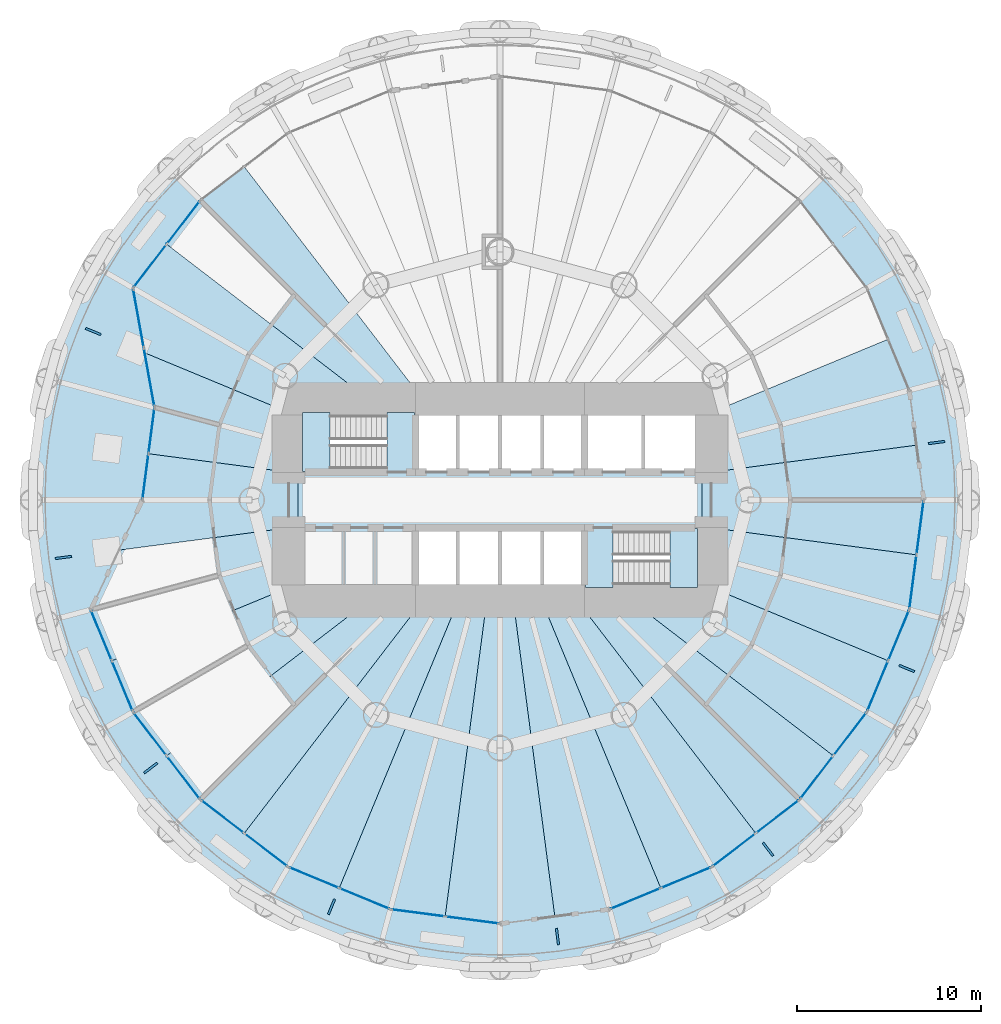
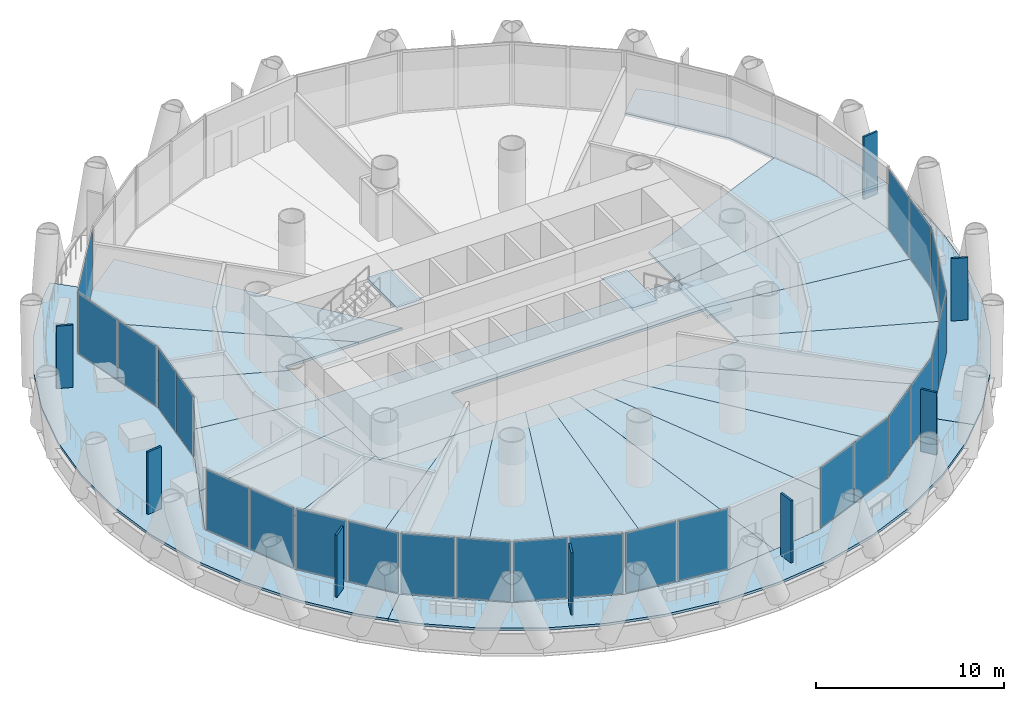
# One storey, part 8 of 15: 34 plates, 25 slabs, 15 elements without a shape of their own.
"""IFC4 building model written with IfcOpenShell, lengths in metres."""

from ifc_helpers import new_model, si_unit, direction, frame, origin, origin_2d, place, context, subcontext, project, spatial, polyline, rectangle, outline, extrude, material, layer, layer_set, type_object, element, aggregate, save


model = new_model("IFC4")

# Units and contexts
model_context = context("Model", 3, precision=1e-05, world=origin(), true_north=direction((0.0, 1.0)))
body_context = subcontext(model_context, "Body", "Model", "MODEL_VIEW")
ifc_project = project(units=[si_unit("LENGTHUNIT", "METRE"), si_unit("AREAUNIT", "SQUARE_METRE"), si_unit("VOLUMEUNIT", "CUBIC_METRE"), si_unit("PLANEANGLEUNIT", "RADIAN"), si_unit("MASSUNIT", "GRAM", prefix="KILO")], contexts=[model_context])

# Site, building, storey
site_placement = place(None, origin())
site = spatial("IfcSite", under=ifc_project, at=site_placement, CompositionType="ELEMENT")
building_placement = place(site_placement, origin())
building = spatial("IfcBuilding", under=site, at=building_placement, Name="Qaws Media Tower", CompositionType="ELEMENT")
storey_placement = place(building_placement, frame((0.0, 0.0, 72.199951171875)))
storey = spatial("IfcBuildingStorey", under=building, at=storey_placement, Name="L15", CompositionType="ELEMENT", Elevation=72.199951171875)

# Slabs
ifc_material_1 = material(Name="Concrete C35/45", Category="concrete")
ifc_layer_1 = layer(ifc_material_1, 0.159912109375)
ifc_layer_set_1 = layer_set([ifc_layer_1], Name="Composite balcony slab 160")
slab_type_1 = type_object("IfcSlabType", Name="Composite balcony slab 160", PredefinedType="FLOOR", material=ifc_layer_set_1)
slab_1_placement = place(storey_placement, frame((0.0, 0.0, -0.159912109375)))
element("IfcSlab", 1, at=slab_1_placement, inside=storey, type_object=slab_type_1, Name="S2 balcony slab L15 R10 to R16, movement joints on R10 and R16", PredefinedType="FLOOR", context=body_context, shape_type="SweptSolid", body=[
    extrude(outline(polyline([(40.86572265625, 33.219482421875), (38.839111328125, 35.860595703125), (37.174560546875, 38.743896484375), (35.900634765625, 41.8193359375), (35.0390625, 45.034912109375), (34.6044921875, 48.33544921875), (34.6044921875, 51.66455078125), (35.0390625, 54.965087890625), (35.900634765625, 58.1806640625), (37.174560546875, 61.256103515625), (38.839111328125, 64.139404296875), (40.86572265625, 66.780517578125), (42.042724609375, 67.957275390625), (43.701171875, 66.298828125), (40.0380859375, 61.52490234375), (41.212646484375, 55.033935546875), (40.550048828125, 50.0), (37.7353515625, 44.0341796875), (40.0380859375, 38.47509765625), (43.701171875, 33.701171875), (42.042724609375, 32.042724609375), (40.86572265625, 33.219482421875)])), origin(), (0.0, 0.0, 1.0), 0.159912109375),
])
slab_2_placement = place(storey_placement, frame((0.0, 0.0, -0.159912109375)))
element("IfcSlab", 2, at=slab_2_placement, inside=storey, type_object=slab_type_1, Name="S2 balcony slab L15 R16 to R22, movement joints on R16 and R22", PredefinedType="FLOOR", context=body_context, shape_type="SweptSolid", body=[
    extrude(outline(polyline([(76.780517578125, 30.86572265625), (74.139404296875, 28.839111328125), (71.256103515625, 27.174560546875), (68.1806640625, 25.900634765625), (64.965087890625, 25.0390625), (61.66455078125, 24.6044921875), (58.33544921875, 24.6044921875), (55.034912109375, 25.0390625), (51.8193359375, 25.900634765625), (48.743896484375, 27.174560546875), (45.860595703125, 28.839111328125), (43.219482421875, 30.86572265625), (42.042724609375, 32.042724609375), (43.701171875, 33.701171875), (48.47509765625, 30.0380859375), (54.0341796875, 27.7353515625), (60.0, 26.949951171875), (65.9658203125, 27.7353515625), (71.52490234375, 30.0380859375), (76.298828125, 33.701171875), (77.957275390625, 32.042724609375), (76.780517578125, 30.86572265625)])), origin(), (0.0, 0.0, 1.0), 0.159912109375),
])
slab_3_placement = place(storey_placement, frame((0.0, 0.0, -0.159912109375)))
element("IfcSlab", 3, at=slab_3_placement, inside=storey, type_object=slab_type_1, Name="S2 balcony slab L15 R22 to R04, movement joints on R22 and R04", PredefinedType="FLOOR", context=body_context, shape_type="SweptSolid", body=[
    extrude(outline(polyline([(84.9609375, 45.034912109375), (84.099365234375, 41.8193359375), (82.825439453125, 38.743896484375), (81.160888671875, 35.860595703125), (79.13427734375, 33.219482421875), (77.957275390625, 32.042724609375), (76.298828125, 33.701171875), (79.9619140625, 38.47509765625), (82.2646484375, 44.0341796875), (83.050048828125, 50.0), (82.2646484375, 55.9658203125), (79.9619140625, 61.52490234375), (76.298828125, 66.298828125), (77.957275390625, 67.957275390625), (79.13427734375, 66.780517578125), (81.160888671875, 64.139404296875), (82.825439453125, 61.256103515625), (84.099365234375, 58.1806640625), (84.9609375, 54.965087890625), (85.3955078125, 51.66455078125), (85.3955078125, 48.33544921875), (84.9609375, 45.034912109375)])), origin(), (0.0, 0.0, 1.0), 0.159912109375),
])
ifc_material_2 = material(Name="Concrete C35/45", Category="concrete")
ifc_layer_2 = layer(ifc_material_2, 0.159912109375)
ifc_layer_set_2 = layer_set([ifc_layer_2], Name="Composite floor slab 160")
slab_type_2 = type_object("IfcSlabType", Name="Composite floor slab 160", PredefinedType="FLOOR", material=ifc_layer_set_2)
slab_4_placement = place(storey_placement, frame((0.0, 0.0, -0.159912109375)))
element("IfcSlab", 4, at=slab_4_placement, inside=storey, type_object=slab_type_2, Name="S1 core floor slab L15", PredefinedType="FLOOR", context=body_context, shape_type="SweptSolid", body=[
    extrude(outline(polyline([(71.0, 51.5), (71.0, 48.5), (55.39990234375, 48.5), (55.39990234375, 45.0), (49.0, 45.0), (49.0, 51.5), (71.0, 51.5)])), origin(), (0.0, 0.0, 1.0), 0.159912109375),
])
slab_5_placement = place(storey_placement, frame((0.0, 0.0, -0.159912109375)))
element("IfcSlab", 5, at=slab_5_placement, inside=storey, type_object=slab_type_2, Name="S1 floor panel L15 on R01", PredefinedType="FLOOR", context=body_context, shape_type="SweptSolid", body=[
    extrude(outline(polyline([(83.050048828125, 50.0), (82.6572265625, 47.01708984375), (71.0, 48.5517578125), (71.0, 51.4482421875), (82.6572265625, 52.98291015625), (83.050048828125, 50.0)])), origin(), (0.0, 0.0, 1.0), 0.159912109375),
])
slab_6_placement = place(storey_placement, frame((0.0, 0.0, -0.159912109375)))
element("IfcSlab", 6, at=slab_6_placement, inside=storey, type_object=slab_type_2, Name="S1 floor panel L15 on R02", PredefinedType="FLOOR", context=body_context, shape_type="SweptSolid", body=[
    extrude(outline(polyline([(82.2646484375, 55.9658203125), (82.6572265625, 52.98291015625), (71.0, 51.4482421875), (71.0, 54.556396484375), (81.11328125, 58.745361328125), (82.2646484375, 55.9658203125)])), origin(), (0.0, 0.0, 1.0), 0.159912109375),
])
slab_7_placement = place(storey_placement, frame((0.0, 0.0, -0.159912109375)))
element("IfcSlab", 7, at=slab_7_placement, inside=storey, type_object=slab_type_2, Name="S1 floor panel L15 on R10", PredefinedType="FLOOR", context=body_context, shape_type="SweptSolid", body=[
    extrude(outline(polyline([(43.701171875, 66.298828125), (46.088134765625, 68.13037109375), (56.163330078125, 55.0), (53.48388671875, 55.0), (41.86962890625, 63.911865234375), (43.701171875, 66.298828125)])), origin(), (0.0, 0.0, 1.0), 0.159912109375),
])
slab_8_placement = place(storey_placement, frame((0.0, 0.0, -0.159912109375)))
element("IfcSlab", 8, at=slab_8_placement, inside=storey, type_object=slab_type_2, Name="S1 floor panel L15 on R11", PredefinedType="FLOOR", context=body_context, shape_type="SweptSolid", body=[
    extrude(outline(polyline([(40.0380859375, 61.52490234375), (41.86962890625, 63.911865234375), (53.48388671875, 55.0), (49.0, 55.0), (49.0, 54.556396484375), (40.67529296875, 58.004638671875), (40.0380859375, 61.52490234375)])), origin(), (0.0, 0.0, 1.0), 0.159912109375),
])
slab_9_placement = place(storey_placement, frame((0.0, 0.0, -0.159912109375)))
element("IfcSlab", 9, at=slab_9_placement, inside=storey, type_object=slab_type_2, Name="S1 floor panel L15 on R12", PredefinedType="FLOOR", context=body_context, shape_type="SweptSolid", body=[
    extrude(outline(polyline([(41.212646484375, 55.033935546875), (40.67529296875, 58.004638671875), (49.0, 54.556396484375), (49.0, 51.4482421875), (40.88134765625, 52.51708984375), (41.212646484375, 55.033935546875)])), origin(), (0.0, 0.0, 1.0), 0.159912109375),
])
slab_10_placement = place(storey_placement, frame((0.0, 0.0, -0.159912109375)))
element("IfcSlab", 10, at=slab_10_placement, inside=storey, type_object=slab_type_2, Name="S1 floor panel L15 on R13", PredefinedType="FLOOR", context=body_context, shape_type="SweptSolid", body=[
    extrude(outline(polyline([(40.550048828125, 50.0), (40.88134765625, 52.51708984375), (49.0, 51.4482421875), (49.0, 48.5517578125), (39.261962890625, 47.269775390625), (40.550048828125, 50.0)])), origin(), (0.0, 0.0, 1.0), 0.159912109375),
])
slab_11_placement = place(storey_placement, frame((0.0, 0.0, -0.159912109375)))
element("IfcSlab", 11, at=slab_11_placement, inside=storey, type_object=slab_type_2, Name="S1 floor panel L15 on R14", PredefinedType="FLOOR", context=body_context, shape_type="SweptSolid", body=[
    extrude(outline(polyline([(37.7353515625, 44.0341796875), (39.261962890625, 47.269775390625), (49.0, 48.5517578125), (49.0, 45.443603515625), (38.88671875, 41.254638671875), (37.7353515625, 44.0341796875)])), origin(), (0.0, 0.0, 1.0), 0.159912109375),
])
slab_12_placement = place(storey_placement, frame((0.0, 0.0, -0.159912109375)))
element("IfcSlab", 12, at=slab_12_placement, inside=storey, type_object=slab_type_2, Name="S1 floor panel L15 on R15", PredefinedType="FLOOR", context=body_context, shape_type="SweptSolid", body=[
    extrude(outline(polyline([(40.0380859375, 38.47509765625), (38.88671875, 41.254638671875), (49.0, 45.443603515625), (49.0, 45.0), (53.48388671875, 45.0), (41.86962890625, 36.088134765625), (40.0380859375, 38.47509765625)])), origin(), (0.0, 0.0, 1.0), 0.159912109375),
])
slab_13_placement = place(storey_placement, frame((0.0, 0.0, -0.159912109375)))
element("IfcSlab", 13, at=slab_13_placement, inside=storey, type_object=slab_type_2, Name="S1 floor panel L15 on R16", PredefinedType="FLOOR", context=body_context, shape_type="SweptSolid", body=[
    extrude(outline(polyline([(43.701171875, 33.701171875), (41.86962890625, 36.088134765625), (53.48388671875, 45.0), (56.163330078125, 45.0), (46.088134765625, 31.86962890625), (43.701171875, 33.701171875)])), origin(), (0.0, 0.0, 1.0), 0.159912109375),
])
slab_14_placement = place(storey_placement, frame((0.0, 0.0, -0.159912109375)))
element("IfcSlab", 14, at=slab_14_placement, inside=storey, type_object=slab_type_2, Name="S1 floor panel L15 on R17", PredefinedType="FLOOR", context=body_context, shape_type="SweptSolid", body=[
    extrude(outline(polyline([(48.47509765625, 30.0380859375), (46.088134765625, 31.86962890625), (56.163330078125, 45.0), (57.928955078125, 45.0), (51.254638671875, 28.88671875), (48.47509765625, 30.0380859375)])), origin(), (0.0, 0.0, 1.0), 0.159912109375),
])
slab_15_placement = place(storey_placement, frame((0.0, 0.0, -0.159912109375)))
element("IfcSlab", 15, at=slab_15_placement, inside=storey, type_object=slab_type_2, Name="S1 floor panel L15 on R18", PredefinedType="FLOOR", context=body_context, shape_type="SweptSolid", body=[
    extrude(outline(polyline([(54.0341796875, 27.7353515625), (51.254638671875, 28.88671875), (57.928955078125, 45.0), (59.341796875, 45.0), (57.01708984375, 27.3427734375), (54.0341796875, 27.7353515625)])), origin(), (0.0, 0.0, 1.0), 0.159912109375),
])
slab_16_placement = place(storey_placement, frame((0.0, 0.0, -0.159912109375)))
element("IfcSlab", 16, at=slab_16_placement, inside=storey, type_object=slab_type_2, Name="S1 floor panel L15 on R19", PredefinedType="FLOOR", context=body_context, shape_type="SweptSolid", body=[
    extrude(outline(polyline([(60.0, 26.949951171875), (57.01708984375, 27.3427734375), (59.341796875, 45.0), (60.658203125, 45.0), (62.98291015625, 27.3427734375), (60.0, 26.949951171875)])), origin(), (0.0, 0.0, 1.0), 0.159912109375),
])
slab_17_placement = place(storey_placement, frame((0.0, 0.0, -0.159912109375)))
element("IfcSlab", 17, at=slab_17_placement, inside=storey, type_object=slab_type_2, Name="S1 floor panel L15 on R20", PredefinedType="FLOOR", context=body_context, shape_type="SweptSolid", body=[
    extrude(outline(polyline([(65.9658203125, 27.7353515625), (62.98291015625, 27.3427734375), (60.658203125, 45.0), (62.071044921875, 45.0), (68.745361328125, 28.88671875), (65.9658203125, 27.7353515625)])), origin(), (0.0, 0.0, 1.0), 0.159912109375),
])
slab_18_placement = place(storey_placement, frame((0.0, 0.0, -0.159912109375)))
element("IfcSlab", 18, at=slab_18_placement, inside=storey, type_object=slab_type_2, Name="S1 floor panel L15 on R21", PredefinedType="FLOOR", context=body_context, shape_type="SweptSolid", body=[
    extrude(outline(polyline([(71.52490234375, 30.0380859375), (68.745361328125, 28.88671875), (62.071044921875, 45.0), (63.836669921875, 45.0), (73.911865234375, 31.86962890625), (71.52490234375, 30.0380859375)])), origin(), (0.0, 0.0, 1.0), 0.159912109375),
])
slab_19_placement = place(storey_placement, frame((0.0, 0.0, -0.159912109375)))
element("IfcSlab", 19, at=slab_19_placement, inside=storey, type_object=slab_type_2, Name="S1 floor panel L15 on R22", PredefinedType="FLOOR", context=body_context, shape_type="SweptSolid", body=[
    extrude(outline(polyline([(76.298828125, 33.701171875), (73.911865234375, 31.86962890625), (63.836669921875, 45.0), (66.51611328125, 45.0), (78.13037109375, 36.088134765625), (76.298828125, 33.701171875)])), origin(), (0.0, 0.0, 1.0), 0.159912109375),
])
slab_20_placement = place(storey_placement, frame((0.0, 0.0, -0.159912109375)))
element("IfcSlab", 20, at=slab_20_placement, inside=storey, type_object=slab_type_2, Name="S1 floor panel L15 on R23", PredefinedType="FLOOR", context=body_context, shape_type="SweptSolid", body=[
    extrude(outline(polyline([(79.9619140625, 38.47509765625), (78.13037109375, 36.088134765625), (66.51611328125, 45.0), (71.0, 45.0), (71.0, 45.443603515625), (81.11328125, 41.254638671875), (79.9619140625, 38.47509765625)])), origin(), (0.0, 0.0, 1.0), 0.159912109375),
])
slab_21_placement = place(storey_placement, frame((0.0, 0.0, -0.159912109375)))
element("IfcSlab", 21, at=slab_21_placement, inside=storey, type_object=slab_type_2, Name="S1 floor panel L15 on R24", PredefinedType="FLOOR", context=body_context, shape_type="SweptSolid", body=[
    extrude(outline(polyline([(81.11328125, 41.254638671875), (71.0, 45.443603515625), (71.0, 48.5517578125), (82.6572265625, 47.01708984375), (82.2646484375, 44.0341796875), (81.11328125, 41.254638671875)])), origin(), (0.0, 0.0, 1.0), 0.159912109375),
])

# Curtain wall, plates
ifc_material_3 = material(Name="Aluminium and clear glass", Category="aluminium")
curtain_wall_type_1 = type_object("IfcCurtainWallType", Name="Unitised curtain wall CW-A", PredefinedType="NOTDEFINED", material=ifc_material_3)
curtain_wall_1_placement = place(storey_placement, origin())
curtain_wall_1 = element("IfcCurtainWall", 22, at=curtain_wall_1_placement, inside=storey, type_object=curtain_wall_type_1, Name="CWA curtain wall L15-10", PredefinedType="NOTDEFINED")
ifc_material_4 = material(Name="Clear laminated double glazing", Category="glass")
ifc_layer_3 = layer(ifc_material_4, 0.031982421875)
ifc_layer_set_3 = layer_set([ifc_layer_3], Name="Curtain wall glass unit 32")
plate_type_1 = type_object("IfcPlateType", Name="Curtain wall glass unit 32", PredefinedType="CURTAIN_PANEL", material=ifc_layer_set_3)
plate_1_placement = place(storey_placement, frame((42.773193359375, 65.089599609375, 0.080078125), z_axis=(0.0, 0.0, 1.0), x_axis=(-0.608761531958, -0.793353261295, 0.0)))
plate_1 = element("IfcPlate", 23, at=plate_1_placement, type_object=plate_type_1, Name="CWA panel 1.1", PredefinedType="CURTAIN_PANEL", context=body_context, shape_type="SweptSolid", body=[
    extrude(rectangle(XDim=2.888671875, YDim=0.031982421875, at=origin_2d()), origin(), (0.0, 0.0, 1.0), 3.8798828125),
])
plate_2_placement = place(storey_placement, frame((40.966064453125, 62.734375, 0.080078125), z_axis=(0.0, 0.0, 1.0), x_axis=(-0.608761531958, -0.793353261295, 0.0)))
plate_2 = element("IfcPlate", 24, at=plate_2_placement, type_object=plate_type_1, Name="CWA panel 2.1", PredefinedType="CURTAIN_PANEL", context=body_context, shape_type="SweptSolid", body=[
    extrude(rectangle(XDim=2.888671875, YDim=0.031982421875, at=origin_2d()), origin(), (0.0, 0.0, 1.0), 3.8798828125),
])
aggregate(curtain_wall_1, [plate_1, plate_2])

ifc_material_5 = material(Name="Aluminium and clear glass", Category="aluminium")
curtain_wall_type_2 = type_object("IfcCurtainWallType", Name="Loggia curtain wall CW-G", PredefinedType="NOTDEFINED", material=ifc_material_5)
curtain_wall_2_placement = place(storey_placement, origin())
curtain_wall_2 = element("IfcCurtainWall", 25, at=curtain_wall_2_placement, inside=storey, type_object=curtain_wall_type_2, Name="CWG curtain wall L15-11", PredefinedType="NOTDEFINED")
plate_3_placement = place(storey_placement, frame((40.33544921875, 59.882568359375, 0.080078125), z_axis=(0.0, 0.0, 1.0), x_axis=(0.178071319151, -0.984017583835, 0.0)))
plate_3 = element("IfcPlate", 26, at=plate_3_placement, type_object=plate_type_1, Name="CWG panel 1.1", PredefinedType="CURTAIN_PANEL", context=body_context, shape_type="SweptSolid", body=[
    extrude(rectangle(XDim=3.17822265625, YDim=0.031982421875, at=origin_2d()), origin(), (0.0, 0.0, 1.0), 3.8798828125),
])
plate_4_placement = place(storey_placement, frame((40.91552734375, 56.676513671875, 0.080078125), z_axis=(0.0, 0.0, 1.0), x_axis=(0.178071319151, -0.984017583835, 0.0)))
plate_4 = element("IfcPlate", 27, at=plate_4_placement, type_object=plate_type_1, Name="CWG panel 2.1", PredefinedType="CURTAIN_PANEL", context=body_context, shape_type="SweptSolid", body=[
    extrude(rectangle(XDim=3.17822265625, YDim=0.031982421875, at=origin_2d()), origin(), (0.0, 0.0, 1.0), 3.8798828125),
])
aggregate(curtain_wall_2, [plate_3, plate_4])

curtain_wall_3_placement = place(storey_placement, origin())
curtain_wall_3 = element("IfcCurtainWall", 28, at=curtain_wall_3_placement, inside=storey, type_object=curtain_wall_type_2, Name="CWG curtain wall L15-12", PredefinedType="NOTDEFINED")
plate_5_placement = place(storey_placement, frame((41.04443359375, 53.755615234375, 0.080078125), z_axis=(0.0, 0.0, 1.0), x_axis=(-0.130526265312, -0.991444851751, 0.0)))
plate_5 = element("IfcPlate", 29, at=plate_5_placement, type_object=plate_type_1, Name="CWG panel 1.1", PredefinedType="CURTAIN_PANEL", context=body_context, shape_type="SweptSolid", body=[
    extrude(rectangle(XDim=2.418701171875, YDim=0.031982421875, at=origin_2d()), origin(), (0.0, 0.0, 1.0), 3.8798828125),
])
plate_6_placement = place(storey_placement, frame((40.71826171875, 51.2783203125, 0.080078125), z_axis=(0.0, 0.0, 1.0), x_axis=(-0.130526265312, -0.991444851751, 0.0)))
plate_6 = element("IfcPlate", 30, at=plate_6_placement, type_object=plate_type_1, Name="CWG panel 2.1", PredefinedType="CURTAIN_PANEL", context=body_context, shape_type="SweptSolid", body=[
    extrude(rectangle(XDim=2.418701171875, YDim=0.031982421875, at=origin_2d()), origin(), (0.0, 0.0, 1.0), 3.8798828125),
])
aggregate(curtain_wall_3, [plate_5, plate_6])

curtain_wall_4_placement = place(storey_placement, origin())
curtain_wall_4 = element("IfcCurtainWall", 31, at=curtain_wall_4_placement, inside=storey, type_object=curtain_wall_type_1, Name="CWA curtain wall L15-14", PredefinedType="NOTDEFINED")
plate_7_placement = place(storey_placement, frame((38.31884765625, 42.6259765625, 0.080078125), z_axis=(0.0, 0.0, 1.0), x_axis=(0.382683328183, -0.923879575665, 0.0)))
plate_7 = element("IfcPlate", 32, at=plate_7_placement, type_object=plate_type_1, Name="CWA panel 1.1", PredefinedType="CURTAIN_PANEL", context=body_context, shape_type="SweptSolid", body=[
    extrude(rectangle(XDim=2.888671875, YDim=0.031982421875, at=origin_2d()), origin(), (0.0, 0.0, 1.0), 3.8798828125),
])
plate_8_placement = place(storey_placement, frame((39.454833984375, 39.88330078125, 0.080078125), z_axis=(0.0, 0.0, 1.0), x_axis=(0.382683328183, -0.923879575665, 0.0)))
plate_8 = element("IfcPlate", 33, at=plate_8_placement, type_object=plate_type_1, Name="CWA panel 2.1", PredefinedType="CURTAIN_PANEL", context=body_context, shape_type="SweptSolid", body=[
    extrude(rectangle(XDim=2.888671875, YDim=0.031982421875, at=origin_2d()), origin(), (0.0, 0.0, 1.0), 3.8798828125),
])
aggregate(curtain_wall_4, [plate_7, plate_8])

curtain_wall_5_placement = place(storey_placement, origin())
curtain_wall_5 = element("IfcCurtainWall", 34, at=curtain_wall_5_placement, inside=storey, type_object=curtain_wall_type_1, Name="CWA curtain wall L15-15", PredefinedType="NOTDEFINED")
plate_9_placement = place(storey_placement, frame((40.966064453125, 37.265625, 0.080078125), z_axis=(0.0, 0.0, 1.0), x_axis=(0.608761531958, -0.793353261295, 0.0)))
plate_9 = element("IfcPlate", 35, at=plate_9_placement, type_object=plate_type_1, Name="CWA panel 1.1", PredefinedType="CURTAIN_PANEL", context=body_context, shape_type="SweptSolid", body=[
    extrude(rectangle(XDim=2.888671875, YDim=0.031982421875, at=origin_2d()), origin(), (0.0, 0.0, 1.0), 3.8798828125),
])
plate_10_placement = place(storey_placement, frame((42.773193359375, 34.910400390625, 0.080078125), z_axis=(0.0, 0.0, 1.0), x_axis=(0.608761531958, -0.793353261295, 0.0)))
plate_10 = element("IfcPlate", 36, at=plate_10_placement, type_object=plate_type_1, Name="CWA panel 2.1", PredefinedType="CURTAIN_PANEL", context=body_context, shape_type="SweptSolid", body=[
    extrude(rectangle(XDim=2.888671875, YDim=0.031982421875, at=origin_2d()), origin(), (0.0, 0.0, 1.0), 3.8798828125),
])
aggregate(curtain_wall_5, [plate_9, plate_10])

curtain_wall_6_placement = place(storey_placement, origin())
curtain_wall_6 = element("IfcCurtainWall", 37, at=curtain_wall_6_placement, inside=storey, type_object=curtain_wall_type_1, Name="CWA curtain wall L15-16", PredefinedType="NOTDEFINED")
plate_11_placement = place(storey_placement, frame((44.910400390625, 32.773193359375, 0.080078125), z_axis=(0.0, 0.0, 1.0), x_axis=(0.793353261295, -0.608761531958, 0.0)))
plate_11 = element("IfcPlate", 38, at=plate_11_placement, type_object=plate_type_1, Name="CWA panel 1.1", PredefinedType="CURTAIN_PANEL", context=body_context, shape_type="SweptSolid", body=[
    extrude(rectangle(XDim=2.888671875, YDim=0.031982421875, at=origin_2d()), origin(), (0.0, 0.0, 1.0), 3.8798828125),
])
plate_12_placement = place(storey_placement, frame((47.265625, 30.966064453125, 0.080078125), z_axis=(0.0, 0.0, 1.0), x_axis=(0.793353261295, -0.608761531958, 0.0)))
plate_12 = element("IfcPlate", 39, at=plate_12_placement, type_object=plate_type_1, Name="CWA panel 2.1", PredefinedType="CURTAIN_PANEL", context=body_context, shape_type="SweptSolid", body=[
    extrude(rectangle(XDim=2.888671875, YDim=0.031982421875, at=origin_2d()), origin(), (0.0, 0.0, 1.0), 3.8798828125),
])
aggregate(curtain_wall_6, [plate_11, plate_12])

curtain_wall_7_placement = place(storey_placement, origin())
curtain_wall_7 = element("IfcCurtainWall", 40, at=curtain_wall_7_placement, inside=storey, type_object=curtain_wall_type_1, Name="CWA curtain wall L15-17", PredefinedType="NOTDEFINED")
plate_13_placement = place(storey_placement, frame((49.88330078125, 29.454833984375, 0.080078125), z_axis=(0.0, 0.0, 1.0), x_axis=(0.923879575665, -0.382683328183, 0.0)))
plate_13 = element("IfcPlate", 41, at=plate_13_placement, type_object=plate_type_1, Name="CWA panel 1.1", PredefinedType="CURTAIN_PANEL", context=body_context, shape_type="SweptSolid", body=[
    extrude(rectangle(XDim=2.888671875, YDim=0.031982421875, at=origin_2d()), origin(), (0.0, 0.0, 1.0), 3.8798828125),
])
plate_14_placement = place(storey_placement, frame((52.6259765625, 28.31884765625, 0.080078125), z_axis=(0.0, 0.0, 1.0), x_axis=(0.923879575665, -0.382683328183, 0.0)))
plate_14 = element("IfcPlate", 42, at=plate_14_placement, type_object=plate_type_1, Name="CWA panel 2.1", PredefinedType="CURTAIN_PANEL", context=body_context, shape_type="SweptSolid", body=[
    extrude(rectangle(XDim=2.888671875, YDim=0.031982421875, at=origin_2d()), origin(), (0.0, 0.0, 1.0), 3.8798828125),
])
aggregate(curtain_wall_7, [plate_13, plate_14])

curtain_wall_8_placement = place(storey_placement, origin())
curtain_wall_8 = element("IfcCurtainWall", 43, at=curtain_wall_8_placement, inside=storey, type_object=curtain_wall_type_1, Name="CWA curtain wall L15-18", PredefinedType="NOTDEFINED")
plate_15_placement = place(storey_placement, frame((55.54541015625, 27.536376953125, 0.080078125), z_axis=(0.0, 0.0, 1.0), x_axis=(0.991444855038, -0.130526240342, 0.0)))
plate_15 = element("IfcPlate", 44, at=plate_15_placement, type_object=plate_type_1, Name="CWA panel 1.1", PredefinedType="CURTAIN_PANEL", context=body_context, shape_type="SweptSolid", body=[
    extrude(rectangle(XDim=2.888671875, YDim=0.031982421875, at=origin_2d()), origin(), (0.0, 0.0, 1.0), 3.8798828125),
])
plate_16_placement = place(storey_placement, frame((58.48876953125, 27.14892578125, 0.080078125), z_axis=(0.0, 0.0, 1.0), x_axis=(0.991444855038, -0.130526240342, 0.0)))
plate_16 = element("IfcPlate", 45, at=plate_16_placement, type_object=plate_type_1, Name="CWA panel 2.1", PredefinedType="CURTAIN_PANEL", context=body_context, shape_type="SweptSolid", body=[
    extrude(rectangle(XDim=2.888671875, YDim=0.031982421875, at=origin_2d()), origin(), (0.0, 0.0, 1.0), 3.8798828125),
])
aggregate(curtain_wall_8, [plate_15, plate_16])

curtain_wall_9_placement = place(storey_placement, origin())
curtain_wall_9 = element("IfcCurtainWall", 46, at=curtain_wall_9_placement, inside=storey, type_object=curtain_wall_type_1, Name="CWA curtain wall L15-20", PredefinedType="NOTDEFINED")
plate_17_placement = place(storey_placement, frame((67.3740234375, 28.31884765625, 0.080078125), z_axis=(0.0, 0.0, 1.0), x_axis=(0.923879575665, 0.382683328183, 0.0)))
plate_17 = element("IfcPlate", 47, at=plate_17_placement, type_object=plate_type_1, Name="CWA panel 1.1", PredefinedType="CURTAIN_PANEL", context=body_context, shape_type="SweptSolid", body=[
    extrude(rectangle(XDim=2.888671875, YDim=0.031982421875, at=origin_2d()), origin(), (0.0, 0.0, 1.0), 3.8798828125),
])
plate_18_placement = place(storey_placement, frame((70.11669921875, 29.454833984375, 0.080078125), z_axis=(0.0, 0.0, 1.0), x_axis=(0.923879575665, 0.382683328183, 0.0)))
plate_18 = element("IfcPlate", 48, at=plate_18_placement, type_object=plate_type_1, Name="CWA panel 2.1", PredefinedType="CURTAIN_PANEL", context=body_context, shape_type="SweptSolid", body=[
    extrude(rectangle(XDim=2.888671875, YDim=0.031982421875, at=origin_2d()), origin(), (0.0, 0.0, 1.0), 3.8798828125),
])
aggregate(curtain_wall_9, [plate_17, plate_18])

curtain_wall_10_placement = place(storey_placement, origin())
curtain_wall_10 = element("IfcCurtainWall", 49, at=curtain_wall_10_placement, inside=storey, type_object=curtain_wall_type_1, Name="CWA curtain wall L15-21", PredefinedType="NOTDEFINED")
plate_19_placement = place(storey_placement, frame((72.734375, 30.966064453125, 0.080078125), z_axis=(0.0, 0.0, 1.0), x_axis=(0.793353261295, 0.608761531958, 0.0)))
plate_19 = element("IfcPlate", 50, at=plate_19_placement, type_object=plate_type_1, Name="CWA panel 1.1", PredefinedType="CURTAIN_PANEL", context=body_context, shape_type="SweptSolid", body=[
    extrude(rectangle(XDim=2.888671875, YDim=0.031982421875, at=origin_2d()), origin(), (0.0, 0.0, 1.0), 3.8798828125),
])
plate_20_placement = place(storey_placement, frame((75.089599609375, 32.773193359375, 0.080078125), z_axis=(0.0, 0.0, 1.0), x_axis=(0.793353261295, 0.608761531958, 0.0)))
plate_20 = element("IfcPlate", 51, at=plate_20_placement, type_object=plate_type_1, Name="CWA panel 2.1", PredefinedType="CURTAIN_PANEL", context=body_context, shape_type="SweptSolid", body=[
    extrude(rectangle(XDim=2.888671875, YDim=0.031982421875, at=origin_2d()), origin(), (0.0, 0.0, 1.0), 3.8798828125),
])
aggregate(curtain_wall_10, [plate_19, plate_20])

curtain_wall_11_placement = place(storey_placement, origin())
curtain_wall_11 = element("IfcCurtainWall", 52, at=curtain_wall_11_placement, inside=storey, type_object=curtain_wall_type_1, Name="CWA curtain wall L15-22", PredefinedType="NOTDEFINED")
plate_21_placement = place(storey_placement, frame((77.226806640625, 34.910400390625, 0.080078125), z_axis=(0.0, 0.0, 1.0), x_axis=(0.608761531958, 0.793353261295, 0.0)))
plate_21 = element("IfcPlate", 53, at=plate_21_placement, type_object=plate_type_1, Name="CWA panel 1.1", PredefinedType="CURTAIN_PANEL", context=body_context, shape_type="SweptSolid", body=[
    extrude(rectangle(XDim=2.888671875, YDim=0.031982421875, at=origin_2d()), origin(), (0.0, 0.0, 1.0), 3.8798828125),
])
plate_22_placement = place(storey_placement, frame((79.033935546875, 37.265625, 0.080078125), z_axis=(0.0, 0.0, 1.0), x_axis=(0.608761531958, 0.793353261295, 0.0)))
plate_22 = element("IfcPlate", 54, at=plate_22_placement, type_object=plate_type_1, Name="CWA panel 2.1", PredefinedType="CURTAIN_PANEL", context=body_context, shape_type="SweptSolid", body=[
    extrude(rectangle(XDim=2.888671875, YDim=0.031982421875, at=origin_2d()), origin(), (0.0, 0.0, 1.0), 3.8798828125),
])
aggregate(curtain_wall_11, [plate_21, plate_22])

curtain_wall_12_placement = place(storey_placement, origin())
curtain_wall_12 = element("IfcCurtainWall", 55, at=curtain_wall_12_placement, inside=storey, type_object=curtain_wall_type_1, Name="CWA curtain wall L15-23", PredefinedType="NOTDEFINED")
plate_23_placement = place(storey_placement, frame((80.545166015625, 39.88330078125, 0.080078125), z_axis=(0.0, 0.0, 1.0), x_axis=(0.382683328183, 0.923879575665, 0.0)))
plate_23 = element("IfcPlate", 56, at=plate_23_placement, type_object=plate_type_1, Name="CWA panel 1.1", PredefinedType="CURTAIN_PANEL", context=body_context, shape_type="SweptSolid", body=[
    extrude(rectangle(XDim=2.888671875, YDim=0.031982421875, at=origin_2d()), origin(), (0.0, 0.0, 1.0), 3.8798828125),
])
plate_24_placement = place(storey_placement, frame((81.68115234375, 42.6259765625, 0.080078125), z_axis=(0.0, 0.0, 1.0), x_axis=(0.382683328183, 0.923879575665, 0.0)))
plate_24 = element("IfcPlate", 57, at=plate_24_placement, type_object=plate_type_1, Name="CWA panel 2.1", PredefinedType="CURTAIN_PANEL", context=body_context, shape_type="SweptSolid", body=[
    extrude(rectangle(XDim=2.888671875, YDim=0.031982421875, at=origin_2d()), origin(), (0.0, 0.0, 1.0), 3.8798828125),
])
aggregate(curtain_wall_12, [plate_23, plate_24])

curtain_wall_13_placement = place(storey_placement, origin())
curtain_wall_13 = element("IfcCurtainWall", 58, at=curtain_wall_13_placement, inside=storey, type_object=curtain_wall_type_1, Name="CWA curtain wall L15-24", PredefinedType="NOTDEFINED")
plate_25_placement = place(storey_placement, frame((82.463623046875, 45.54541015625, 0.080078125), z_axis=(0.0, 0.0, 1.0), x_axis=(0.130526240342, 0.991444855038, 0.0)))
plate_25 = element("IfcPlate", 59, at=plate_25_placement, type_object=plate_type_1, Name="CWA panel 1.1", PredefinedType="CURTAIN_PANEL", context=body_context, shape_type="SweptSolid", body=[
    extrude(rectangle(XDim=2.888671875, YDim=0.031982421875, at=origin_2d()), origin(), (0.0, 0.0, 1.0), 3.8798828125),
])
plate_26_placement = place(storey_placement, frame((82.85107421875, 48.48876953125, 0.080078125), z_axis=(0.0, 0.0, 1.0), x_axis=(0.130526240342, 0.991444855038, 0.0)))
plate_26 = element("IfcPlate", 60, at=plate_26_placement, type_object=plate_type_1, Name="CWA panel 2.1", PredefinedType="CURTAIN_PANEL", context=body_context, shape_type="SweptSolid", body=[
    extrude(rectangle(XDim=2.888671875, YDim=0.031982421875, at=origin_2d()), origin(), (0.0, 0.0, 1.0), 3.8798828125),
])
aggregate(curtain_wall_13, [plate_25, plate_26])

# Plates
ifc_material_6 = material(Name="Precast concrete screen fin", Category="concrete")
ifc_layer_4 = layer(ifc_material_6, 0.1201171875)
ifc_layer_set_4 = layer_set([ifc_layer_4], Name="Screen fin 120x900")
plate_type_2 = type_object("IfcPlateType", Name="Screen fin 120x900", PredefinedType="USERDEFINED", material=ifc_layer_set_4)
for number, where, z_axis, x_axis, name in (
    (61, (83.7451171875, 53.126220703125, 0.0), (0.0, 0.0, 1.0), (0.991444861374, 0.13052619222, 0.0), "SCR1 screen fin L15-01"),
    (62, (37.873046875, 59.165283203125, 0.0), (0.0, 0.0, 1.0), (-0.923879532511, 0.382683432365, 0.0), "SCR1 screen fin L15-06"),
    (63, (36.2548828125, 46.873779296875, 0.0), (0.0, 0.0, 1.0), (-0.991444861374, -0.13052619222, 0.0), "SCR1 screen fin L15-07"),
    (64, (40.999267578125, 35.420166015625, 0.0), (0.0, 0.0, 1.0), (-0.793353340291, -0.608761429009, 0.0), "SCR1 screen fin L15-08"),
    (65, (50.834716796875, 27.873046875, 0.0), (0.0, 0.0, 1.0), (-0.382683432365, -0.923879532511, 0.0), "SCR1 screen fin L15-09"),
    (66, (63.126220703125, 26.2548828125, 0.0), (0.0, 0.0, 1.0), (0.13052619222, -0.991444861374, 0.0), "SCR1 screen fin L15-10"),
    (67, (74.579833984375, 30.999267578125, 0.0), (0.0, 0.0, 1.0), (0.608761429009, -0.793353340291, 0.0), "SCR1 screen fin L15-11"),
    (68, (82.126953125, 40.834716796875, 0.0), (0.0, 0.0, 1.0), (0.923879532511, -0.382683432365, 0.0), "SCR1 screen fin L15-12"),
):
    element("IfcPlate", number, at=place(storey_placement, frame(where, z_axis=z_axis, x_axis=x_axis)), inside=storey, type_object=plate_type_2, Name=name, ObjectType="SCREEN", PredefinedType="USERDEFINED", context=body_context, shape_type="SweptSolid", body=[
        extrude(rectangle(XDim=0.89990234375, YDim=0.1201171875, at=origin_2d()), origin(), (0.0, 0.0, 1.0), 4.0400390625),
    ])

# Stair, slabs
ifc_material_7 = material(Name="Concrete C40/50", Category="concrete")
stair_type = type_object("IfcStairType", Name="Exit stair", PredefinedType="HALF_TURN_STAIR", material=ifc_material_7)
stair_1_placement = place(storey_placement, origin())
stair_1 = element("IfcStair", 69, at=stair_1_placement, inside=storey, type_object=stair_type, Name="S1 exit stair L15", PredefinedType="HALF_TURN_STAIR")
ifc_material_8 = material(Name="Concrete C40/50", Category="concrete")
ifc_layer_5 = layer(ifc_material_8, 0.199951171875)
ifc_layer_set_5 = layer_set([ifc_layer_5], Name="Stair landing 200")
slab_type_3 = type_object("IfcSlabType", Name="Stair landing 200", PredefinedType="LANDING", material=ifc_layer_set_5)
slab_22_placement = place(storey_placement, frame((0.0, 0.0, 1.900146484375)))
slab_22 = element("IfcSlab", 70, at=slab_22_placement, type_object=slab_type_3, Name="S1 landing 1", PredefinedType="LANDING", context=body_context, shape_type="SweptSolid", body=[
    extrude(outline(polyline([(49.25, 51.550048828125), (50.760009765625, 51.550048828125), (50.760009765625, 54.75), (49.25, 54.75), (49.25, 51.550048828125)])), origin(), (0.0, 0.0, 1.0), 0.199951171875),
])
slab_23_placement = place(storey_placement, frame((0.0, 0.0, 4.0)))
slab_23 = element("IfcSlab", 71, at=slab_23_placement, type_object=slab_type_3, Name="S1 landing 2", PredefinedType="LANDING", context=body_context, shape_type="SweptSolid", body=[
    extrude(outline(polyline([(53.840087890625, 51.550048828125), (55.35009765625, 51.550048828125), (55.35009765625, 54.75), (53.840087890625, 54.75), (53.840087890625, 51.550048828125)])), origin(), (0.0, 0.0, 1.0), 0.199951171875),
])
aggregate(stair_1, [slab_22, slab_23])

stair_2_placement = place(storey_placement, origin())
stair_2 = element("IfcStair", 72, at=stair_2_placement, inside=storey, type_object=stair_type, Name="S2 exit stair L15", PredefinedType="HALF_TURN_STAIR")
slab_24_placement = place(storey_placement, frame((0.0, 0.0, 1.900146484375)))
slab_24 = element("IfcSlab", 73, at=slab_24_placement, type_object=slab_type_3, Name="S2 landing 1", PredefinedType="LANDING", context=body_context, shape_type="SweptSolid", body=[
    extrude(outline(polyline([(69.239990234375, 45.25), (70.75, 45.25), (70.75, 48.449951171875), (69.239990234375, 48.449951171875), (69.239990234375, 45.25)])), origin(), (0.0, 0.0, 1.0), 0.199951171875),
])
slab_25_placement = place(storey_placement, frame((0.0, 0.0, 4.0)))
slab_25 = element("IfcSlab", 74, at=slab_25_placement, type_object=slab_type_3, Name="S2 landing 2", PredefinedType="LANDING", context=body_context, shape_type="SweptSolid", body=[
    extrude(outline(polyline([(64.64990234375, 45.25), (66.159912109375, 45.25), (66.159912109375, 48.449951171875), (64.64990234375, 48.449951171875), (64.64990234375, 45.25)])), origin(), (0.0, 0.0, 1.0), 0.199951171875),
])
aggregate(stair_2, [slab_24, slab_25])

save(model, "model.ifc")
